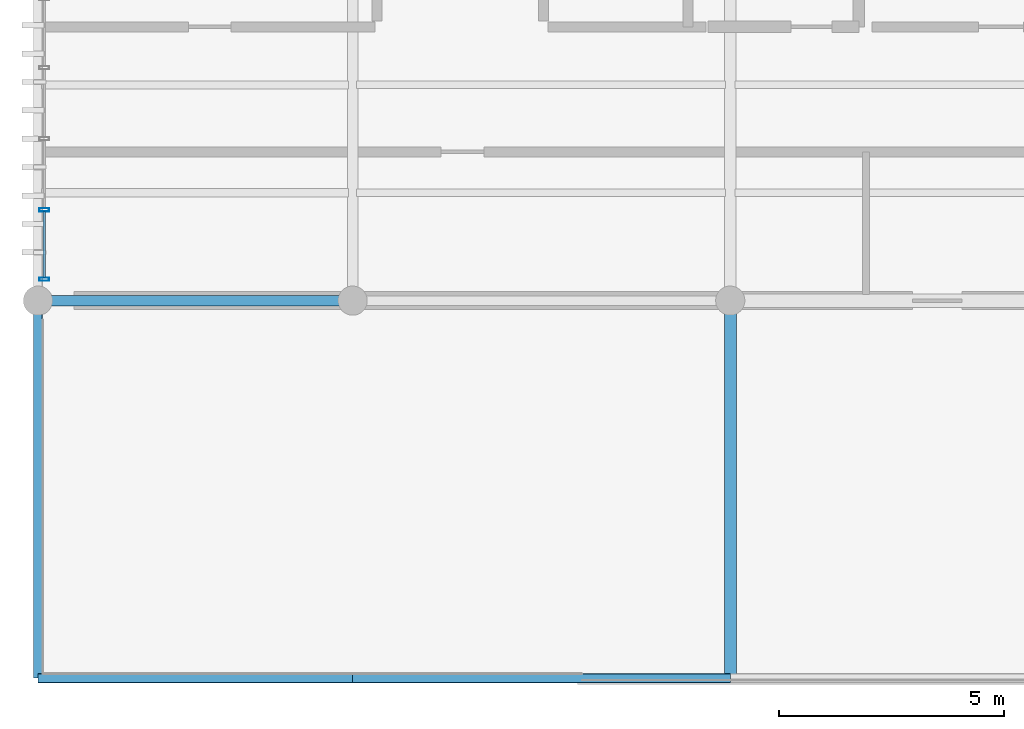
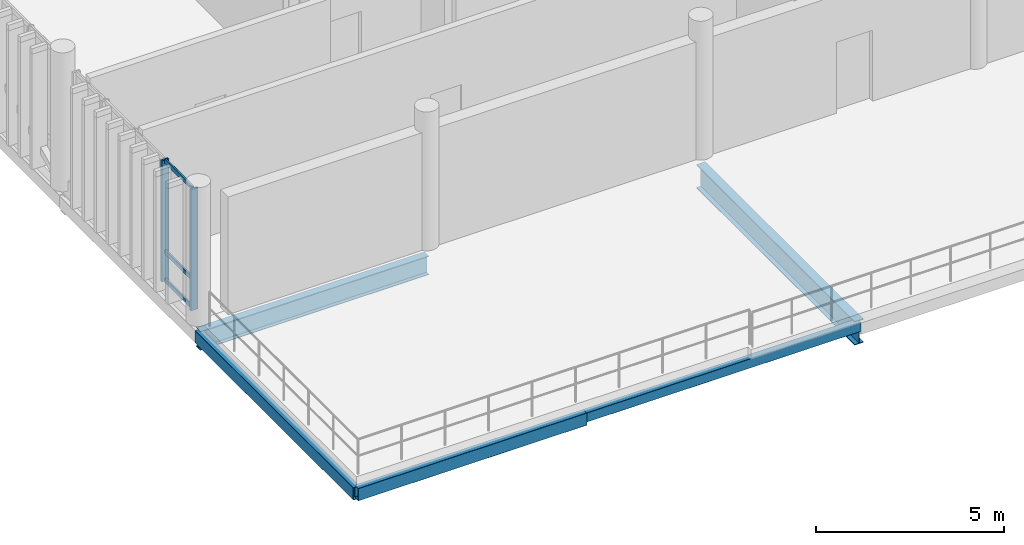
# One storey, part 6 of 66: 5 beams, 5 members, 1 element without a shape of its own.
"""IFC4 building model written with IfcOpenShell, lengths in metres."""

import ifcopenshell
import ifcopenshell.guid

model = None  # the IFC model being written
_history = None  # IfcOwnerHistory: only IFC2X3 demands one
_inside = {}  # id of a spatial element -> (the spatial element, [elements in it])
_under = {}  # id of a project, library or spatial element -> (it, [spatial elements below it])
_declared = {}  # id of a project -> (the project, [libraries it declares])
_typed = {}  # id of a type object -> (the type object, [elements of that type])
_made_of = {}  # id of a material, layer set ... -> (it, [elements and type objects made of it])


def new_model(schema):
    """Start an empty IFC model of exactly this schema.

    Asked for "IFC4X3", IfcOpenShell would pick the latest addendum, in which some entities
    have other attributes; the version numbers below select the first issue.
    IFC2X3 requires an IfcOwnerHistory on every rooted entity: one is made here for all.
    """
    global model, _history
    if schema == "IFC4X3":
        model = ifcopenshell.file(schema_version=(4, 3, 0, 0))
    else:
        model = ifcopenshell.file(schema=schema)
    _inside.clear()
    _under.clear()
    _declared.clear()
    _typed.clear()
    _made_of.clear()
    _history = None
    if model.schema == "IFC2X3":
        org = make("IfcOrganization", Name="unknown")
        user = make(
            "IfcPersonAndOrganization",
            ThePerson=make("IfcPerson", FamilyName="unknown"),
            TheOrganization=org,
        )
        app = make(
            "IfcApplication",
            ApplicationDeveloper=org,
            Version="unknown",
            ApplicationFullName="unknown",
            ApplicationIdentifier="unknown",
        )
        _history = make(
            "IfcOwnerHistory",
            OwningUser=user,
            OwningApplication=app,
            ChangeAction="ADDED",
            CreationDate=0,
        )
    return model


def make(cls, **values):
    """One entity of the class cls with the attributes given. An attribute that is None is left unset."""
    return model.create_entity(
        cls, **{name: value for name, value in values.items() if value is not None}
    )


def rooted(cls, **values):
    """An entity with a GlobalId (a new one), such as an element, a storey or a relation."""
    return make(cls, GlobalId=ifcopenshell.guid.new(), OwnerHistory=_history, **values)


def si_unit(unit_type, name, prefix=None):
    """IfcSIUnit, for example si_unit("LENGTHUNIT", "METRE", prefix="MILLI")."""
    return make("IfcSIUnit", UnitType=unit_type, Prefix=prefix, Name=name)


def assignment(units):
    """IfcUnitAssignment: the units of a project."""
    return None if units is None else make("IfcUnitAssignment", Units=units)


def point(xyz):
    """IfcCartesianPoint."""
    return None if xyz is None else make("IfcCartesianPoint", Coordinates=xyz)


def direction(xyz):
    """IfcDirection."""
    return None if xyz is None else make("IfcDirection", DirectionRatios=xyz)


def frame(location, z_axis=None, x_axis=None):
    """IfcAxis2Placement3D, a coordinate frame: its origin and axes. An axis left out is left unset."""
    return make(
        "IfcAxis2Placement3D",
        Location=point(location),
        Axis=direction(z_axis),
        RefDirection=direction(x_axis),
    )


def frame_2d(location, x_axis=None):
    """IfcAxis2Placement2D, a coordinate frame in the plane: its origin and x axis."""
    return make(
        "IfcAxis2Placement2D", Location=point(location), RefDirection=direction(x_axis)
    )


def origin_with_axes():
    """The frame at (0, 0, 0) with the z axis (0, 0, 1) and the x axis (1, 0, 0) written out."""
    return frame((0.0, 0.0, 0.0), z_axis=(0.0, 0.0, 1.0), x_axis=(1.0, 0.0, 0.0))


def origin_2d_with_axis():
    """The frame at (0, 0) in the plane with the x axis (1, 0) written out."""
    return frame_2d((0.0, 0.0), x_axis=(1.0, 0.0))


def place(relative_to, where):
    """IfcLocalPlacement: puts the frame where relative to a parent placement (None: the world)."""
    return make(
        "IfcLocalPlacement", PlacementRelTo=relative_to, RelativePlacement=where
    )


def context(
    kind, dimensions, precision=None, world=None, true_north=None, identifier=None
):
    """IfcGeometricRepresentationContext, for example the 3D "Model" context."""
    return make(
        "IfcGeometricRepresentationContext",
        ContextIdentifier=identifier,
        ContextType=kind,
        CoordinateSpaceDimension=dimensions,
        Precision=precision,
        WorldCoordinateSystem=world,
        TrueNorth=true_north,
    )


def subcontext(parent, identifier, kind, view, scale=None):
    """IfcGeometricRepresentationSubContext, for example "Body" below "Model"."""
    return make(
        "IfcGeometricRepresentationSubContext",
        ContextIdentifier=identifier,
        ContextType=kind,
        ParentContext=parent,
        TargetScale=scale,
        TargetView=view,
    )


def project(units=None, contexts=None):
    """IfcProject with its units and contexts."""
    return rooted(
        "IfcProject",
        Name="project",
        RepresentationContexts=contexts,
        UnitsInContext=assignment(units),
    )


def spatial(cls, under=None, at=None, **own):
    """A site, building, storey or space (cls), placed at a placement, below another one or the project."""
    s = rooted(cls, ObjectPlacement=at, **own)
    if under is not None:
        _under.setdefault(under.id(), (under, []))[1].append(s)
    return s


def profile(cls, at=None, kind="AREA", **sizes):
    """A parametric profile (cls). Its sizes go by their IFC names, for example OverallWidth=200.0."""
    return make(cls, ProfileType=kind, Position=at, **sizes)


def hollow_rectangle(**sizes):
    """IfcRectangleHollowProfileDef."""
    return profile("IfcRectangleHollowProfileDef", **sizes)


def i_section(**sizes):
    """IfcIShapeProfileDef."""
    return profile("IfcIShapeProfileDef", **sizes)


def extrude(swept, where, along, depth):
    """IfcExtrudedAreaSolid: the profile swept, set in the frame where, extruded along a direction by depth."""
    return make(
        "IfcExtrudedAreaSolid",
        SweptArea=swept,
        Position=where,
        ExtrudedDirection=direction(along),
        Depth=depth,
    )


def shape(context_of_items, identifier, shape_type, items):
    """IfcShapeRepresentation: the items that make up one representation, for example the "Body"."""
    return make(
        "IfcShapeRepresentation",
        ContextOfItems=context_of_items,
        RepresentationIdentifier=identifier,
        RepresentationType=shape_type,
        Items=items,
    )


def material(Name=None, Category=None):
    """IfcMaterial."""
    return make("IfcMaterial", Name=Name, Category=Category)


def material_profile(
    of_material, cross_section, Name=None, Category=None, Priority=None
):
    """IfcMaterialProfile: a cross section and its material."""
    return make(
        "IfcMaterialProfile",
        Name=Name,
        Material=of_material,
        Profile=cross_section,
        Priority=Priority,
        Category=Category,
    )


def profile_set(profiles, Name=None, composite=None):
    """IfcMaterialProfileSet."""
    return make(
        "IfcMaterialProfileSet",
        Name=Name,
        MaterialProfiles=profiles,
        CompositeProfile=composite,
    )


def made_of(thing, what):
    """Note that an element or type object is made of a material, layer set ...; save() writes the relation."""
    if what is not None:
        _made_of.setdefault(what.id(), (what, []))[1].append(thing)
    return thing


def type_object(cls, material=None, **own):
    """A type object (cls), such as IfcWallType, which elements share."""
    return made_of(rooted(cls, **own), material)


def element(
    cls,
    number,
    at=None,
    inside=None,
    cuts=None,
    type_object=None,
    material=None,
    context=None,
    identifier="Body",
    shape_type=None,
    held_by="IfcProductDefinitionShape",
    body=None,
    shapes=None,
    **own,
):
    """One element of the class cls, such as IfcWall. Its Tag is "e" and its number.

    at: its placement. inside: the storey or other place that contains it. cuts: it is an
    opening in that element (IfcRelVoidsElement). A single representation is given by context,
    identifier, shape_type and body (its items); several are given by shapes. held_by: the class
    of the entity that holds the representations. save() writes the other relations.
    """
    e = rooted(cls, Tag="e%d" % number, ObjectPlacement=at, **own)
    if body is not None:
        shapes = [shape(context, identifier, shape_type, body)]
    if shapes is not None:
        e.Representation = make(held_by, Representations=shapes)
    if inside is not None:
        _inside.setdefault(inside.id(), (inside, []))[1].append(e)
    if cuts is not None:
        rooted(
            "IfcRelVoidsElement", RelatingBuildingElement=cuts, RelatedOpeningElement=e
        )
    if type_object is not None:
        _typed.setdefault(type_object.id(), (type_object, []))[1].append(e)
    return made_of(e, material)


def aggregate(whole, parts):
    """IfcRelAggregates: a whole, such as a stair, and the parts it consists of."""
    return rooted("IfcRelAggregates", RelatingObject=whole, RelatedObjects=parts)


def save(model, path):
    """Write the relations noted so far, then the file.

    IfcRelAggregates (storeys below a building ...), IfcRelContainedInSpatialStructure (elements
    in a storey), IfcRelDefinesByType, IfcRelAssociatesMaterial and IfcRelDeclares: one each for
    every whole, place, type object, material and project.
    """
    for whole, parts in _under.values():
        aggregate(whole, parts)
    for where, things in _inside.values():
        rooted(
            "IfcRelContainedInSpatialStructure",
            RelatedElements=things,
            RelatingStructure=where,
        )
    for kind, things in _typed.values():
        rooted("IfcRelDefinesByType", RelatedObjects=things, RelatingType=kind)
    for what, things in _made_of.values():
        rooted("IfcRelAssociatesMaterial", RelatedObjects=things, RelatingMaterial=what)
    for by, libraries in _declared.values():
        rooted("IfcRelDeclares", RelatingContext=by, RelatedDefinitions=libraries)
    model.write(path)


model = new_model("IFC4")

# Units and contexts
model_context = context("Model", 3, precision=1e-05, world=origin_with_axes(), true_north=direction((0.0, 1.0)))
body_context = subcontext(model_context, "Body", "Model", "MODEL_VIEW")
ifc_project = project(units=[si_unit("LENGTHUNIT", "METRE"), si_unit("AREAUNIT", "SQUARE_METRE"), si_unit("VOLUMEUNIT", "CUBIC_METRE"), si_unit("PLANEANGLEUNIT", "RADIAN"), si_unit("MASSUNIT", "GRAM", prefix="KILO"), si_unit("THERMODYNAMICTEMPERATUREUNIT", "KELVIN")], contexts=[model_context])

# Site, building, storey
site_placement = place(None, origin_with_axes())
site = spatial("IfcSite", under=ifc_project, at=site_placement, CompositionType="ELEMENT")
building_placement = place(site_placement, origin_with_axes())
building = spatial("IfcBuilding", under=site, at=building_placement, Name="Montbau Bow Law Courts", CompositionType="ELEMENT")
storey_placement = place(building_placement, frame((0.0, 0.0, 34.5), z_axis=(0.0, 0.0, 1.0), x_axis=(1.0, 0.0, 0.0)))
storey = spatial("IfcBuildingStorey", under=building, at=storey_placement, Name="L07", CompositionType="ELEMENT", Elevation=34.5)

# Beams
ifc_material_1 = material(Name="Steel CSA G40.21 Grade 350W (350 MPa)", Category="steel")
ifc_material_profile_1 = material_profile(ifc_material_1, i_section(OverallWidth=0.267, OverallDepth=0.766, WebThickness=0.0149, FlangeThickness=0.0236, at=origin_2d_with_axis()), Name="W760X185", Category="Main", Priority=0)
ifc_profile_set_1 = profile_set([ifc_material_profile_1], Name="Steel CSA G40.21 Grade 350W (350 MPa)")
beam_type_1 = type_object("IfcBeamType", Name="B-FLR-03", PredefinedType="BEAM", material=ifc_profile_set_1)
beam_1_placement = place(None, frame((22.2, 30.6, 33.797), z_axis=(0.0, 1.0, 0.0), x_axis=(-1.0, 0.0, 0.0)))
element("IfcBeam", 1, at=beam_1_placement, inside=storey, type_object=beam_type_1, Name="BM-L07-S0745:bm2_0748", PredefinedType="BEAM", context=body_context, shape_type="SweptSolid", body=[
    extrude(i_section(OverallWidth=0.267, OverallDepth=0.766, WebThickness=0.0149, FlangeThickness=0.0236, at=origin_2d_with_axis()), origin_with_axes(), (0.0, 0.0, 1.0), 8.4),
])
ifc_material_profile_2 = material_profile(ifc_material_1, i_section(OverallWidth=0.229, OverallDepth=0.612, WebThickness=0.0119, FlangeThickness=0.0196, at=origin_2d_with_axis()), Name="W610X125", Category="Main", Priority=0)
ifc_profile_set_2 = profile_set([ifc_material_profile_2], Name="Steel CSA G40.21 Grade 350W (350 MPa)")
beam_type_2 = type_object("IfcBeamType", Name="B-FLR-05", PredefinedType="BEAM", material=ifc_profile_set_2)
beam_2_placement = place(None, frame((6.8, 39.0, 33.874), z_axis=(1.0, 0.0, 0.0), x_axis=(0.0, 1.0, 0.0)))
element("IfcBeam", 2, at=beam_2_placement, inside=storey, type_object=beam_type_2, Name="BM-L07-S0718:bm2_0721", PredefinedType="BEAM", context=body_context, shape_type="SweptSolid", body=[
    extrude(i_section(OverallWidth=0.229, OverallDepth=0.612, WebThickness=0.0119, FlangeThickness=0.0196, at=origin_2d_with_axis()), origin_with_axes(), (0.0, 0.0, 1.0), 7.0),
])
ifc_material_2 = material(Name="Steel CSA G40.21 Grade 350WT (350 MPa)", Category="steel")
ifc_material_profile_3 = material_profile(ifc_material_2, hollow_rectangle(XDim=0.203, YDim=0.406, WallThickness=0.0127, InnerFilletRadius=0.0254, OuterFilletRadius=0.0127, at=origin_2d_with_axis()), Name="HSS406X203X13", Category="Main", Priority=0)
ifc_profile_set_3 = profile_set([ifc_material_profile_3], Name="Steel CSA G40.21 Grade 350WT (350 MPa)")
beam_type_3 = type_object("IfcBeamType", Name="B-SPN-01", PredefinedType="SPANDREL", material=ifc_profile_set_3)
beam_3_placement = place(None, frame((6.8, 30.6, 33.977), z_axis=(1.0, 0.0, 0.0), x_axis=(0.0, 1.0, 0.0)))
element("IfcBeam", 3, at=beam_3_placement, inside=storey, type_object=beam_type_3, Name="SPN-L07-S0713:bm2_0716", PredefinedType="SPANDREL", context=body_context, shape_type="SweptSolid", body=[
    extrude(hollow_rectangle(XDim=0.203, YDim=0.406, WallThickness=0.0127, InnerFilletRadius=0.0254, OuterFilletRadius=0.0127, at=origin_2d_with_axis()), origin_with_axes(), (0.0, 0.0, 1.0), 7.0),
])
beam_4_placement = place(None, frame((6.8, 30.6, 33.977), z_axis=(0.0, 1.0, 0.0), x_axis=(-1.0, 0.0, 0.0)))
element("IfcBeam", 4, at=beam_4_placement, inside=storey, type_object=beam_type_3, Name="SPN-L07-S0738:bm2_0741", PredefinedType="SPANDREL", context=body_context, shape_type="SweptSolid", body=[
    extrude(hollow_rectangle(XDim=0.203, YDim=0.406, WallThickness=0.0127, InnerFilletRadius=0.0254, OuterFilletRadius=0.0127, at=origin_2d_with_axis()), origin_with_axes(), (0.0, 0.0, 1.0), 8.4),
])
ifc_material_profile_4 = material_profile(ifc_material_2, hollow_rectangle(XDim=0.203, YDim=0.305, WallThickness=0.0127, InnerFilletRadius=0.0254, OuterFilletRadius=0.0127, at=origin_2d_with_axis()), Name="HSS305X203X13", Category="Main", Priority=0)
ifc_profile_set_4 = profile_set([ifc_material_profile_4], Name="Steel CSA G40.21 Grade 350WT (350 MPa)")
beam_type_4 = type_object("IfcBeamType", Name="B-SPN-02", PredefinedType="SPANDREL", material=ifc_profile_set_4)
beam_5_placement = place(None, frame((13.8, 30.6, 34.027), z_axis=(1.0, 0.0, 0.0), x_axis=(0.0, 1.0, 0.0)))
element("IfcBeam", 5, at=beam_5_placement, inside=storey, type_object=beam_type_4, Name="SPN-L07-S0714:bm2_0717", PredefinedType="SPANDREL", context=body_context, shape_type="SweptSolid", body=[
    extrude(hollow_rectangle(XDim=0.203, YDim=0.305, WallThickness=0.0127, InnerFilletRadius=0.0254, OuterFilletRadius=0.0127, at=origin_2d_with_axis()), origin_with_axes(), (0.0, 0.0, 1.0), 8.4),
])

# Curtain wall, members
ifc_material_3 = material(Name="Thermally Broken Extruded Aluminium AA 6063-T6", Category="aluminium")
curtain_wall_type = type_object("IfcCurtainWallType", Name="CW-TRC-02", PredefinedType="NOTDEFINED", material=ifc_material_3)
curtain_wall_placement = place(None, frame((6.94, 39.44, 34.5), z_axis=(0.0, 0.0, 1.0), x_axis=(1.0, 0.0, 0.0)))
curtain_wall = element("IfcCurtainWall", 6, at=curtain_wall_placement, inside=storey, type_object=curtain_wall_type, Name="CW-L07-117:cw_0117", PredefinedType="NOTDEFINED")
ifc_material_profile_5 = material_profile(ifc_material_3, hollow_rectangle(XDim=0.075, YDim=0.22, WallThickness=0.005, InnerFilletRadius=0.01, OuterFilletRadius=0.005, at=origin_2d_with_axis()), Name="CWM-220X75", Category="Main", Priority=0)
ifc_profile_set_5 = profile_set([ifc_material_profile_5], Name="Thermally Broken Extruded Aluminium AA 6063-T6")
member_type_1 = type_object("IfcMemberType", Name="M-MUL-01", PredefinedType="MULLION", material=ifc_profile_set_5)
member_1_placement = place(None, frame((6.94, 39.477, 34.5), z_axis=(0.0, 0.0, 1.0), x_axis=(0.0, 1.0, 0.0)))
member_1 = element("IfcMember", 7, at=member_1_placement, type_object=member_type_1, Name="CW-L07-117-M01:cw_0117_M01", PredefinedType="MULLION", context=body_context, shape_type="SweptSolid", body=[
    extrude(hollow_rectangle(XDim=0.075, YDim=0.22, WallThickness=0.005, InnerFilletRadius=0.01, OuterFilletRadius=0.005, at=origin_2d_with_axis()), origin_with_axes(), (0.0, 0.0, 1.0), 3.92),
])
member_2_placement = place(None, frame((6.94, 41.02, 34.5), z_axis=(0.0, 0.0, 1.0), x_axis=(0.0, 1.0, 0.0)))
member_2 = element("IfcMember", 8, at=member_2_placement, type_object=member_type_1, Name="CW-L07-117-M02:cw_0117_M02", PredefinedType="MULLION", context=body_context, shape_type="SweptSolid", body=[
    extrude(hollow_rectangle(XDim=0.075, YDim=0.22, WallThickness=0.005, InnerFilletRadius=0.01, OuterFilletRadius=0.005, at=origin_2d_with_axis()), origin_with_axes(), (0.0, 0.0, 1.0), 3.92),
])
ifc_material_profile_6 = material_profile(ifc_material_3, hollow_rectangle(XDim=0.055, YDim=0.14, WallThickness=0.004, InnerFilletRadius=0.008, OuterFilletRadius=0.004, at=origin_2d_with_axis()), Name="CWT-140X55", Category="Main", Priority=0)
ifc_profile_set_6 = profile_set([ifc_material_profile_6], Name="Thermally Broken Extruded Aluminium AA 6063-T6")
member_type_2 = type_object("IfcMemberType", Name="M-TRN-02", PredefinedType="USERDEFINED", material=ifc_profile_set_6)
member_3_placement = place(None, frame((6.94, 39.516, 34.528), z_axis=(0.0, 1.0, 0.0), x_axis=(-1.0, 0.0, 0.0)))
member_3 = element("IfcMember", 9, at=member_3_placement, type_object=member_type_2, Name="CW-L07-117-T01-1:cw_0117_T01_1", ObjectType="TRANSOM", PredefinedType="USERDEFINED", context=body_context, shape_type="SweptSolid", body=[
    extrude(hollow_rectangle(XDim=0.055, YDim=0.14, WallThickness=0.004, InnerFilletRadius=0.008, OuterFilletRadius=0.004, at=origin_2d_with_axis()), origin_with_axes(), (0.0, 0.0, 1.0), 1.464),
])
member_4_placement = place(None, frame((6.94, 39.516, 35.45), z_axis=(0.0, 1.0, 0.0), x_axis=(-1.0, 0.0, 0.0)))
member_4 = element("IfcMember", 10, at=member_4_placement, type_object=member_type_2, Name="CW-L07-117-T01-2:cw_0117_T01_2", ObjectType="TRANSOM", PredefinedType="USERDEFINED", context=body_context, shape_type="SweptSolid", body=[
    extrude(hollow_rectangle(XDim=0.055, YDim=0.14, WallThickness=0.004, InnerFilletRadius=0.008, OuterFilletRadius=0.004, at=origin_2d_with_axis()), origin_with_axes(), (0.0, 0.0, 1.0), 1.464),
])
member_5_placement = place(None, frame((6.94, 39.516, 38.392), z_axis=(0.0, 1.0, 0.0), x_axis=(-1.0, 0.0, 0.0)))
member_5 = element("IfcMember", 11, at=member_5_placement, type_object=member_type_2, Name="CW-L07-117-T01-3:cw_0117_T01_3", ObjectType="TRANSOM", PredefinedType="USERDEFINED", context=body_context, shape_type="SweptSolid", body=[
    extrude(hollow_rectangle(XDim=0.055, YDim=0.14, WallThickness=0.004, InnerFilletRadius=0.008, OuterFilletRadius=0.004, at=origin_2d_with_axis()), origin_with_axes(), (0.0, 0.0, 1.0), 1.464),
])
aggregate(curtain_wall, [member_1, member_2, member_3, member_4, member_5])

save(model, "model.ifc")
